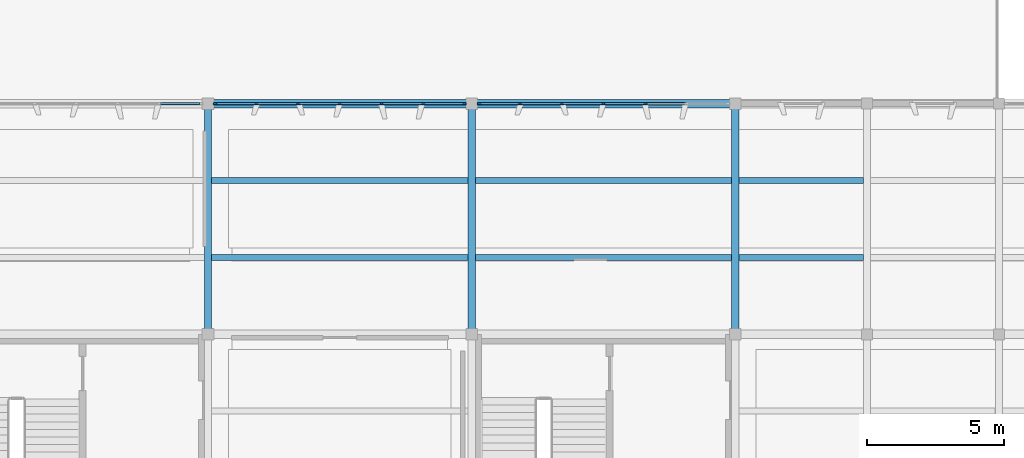
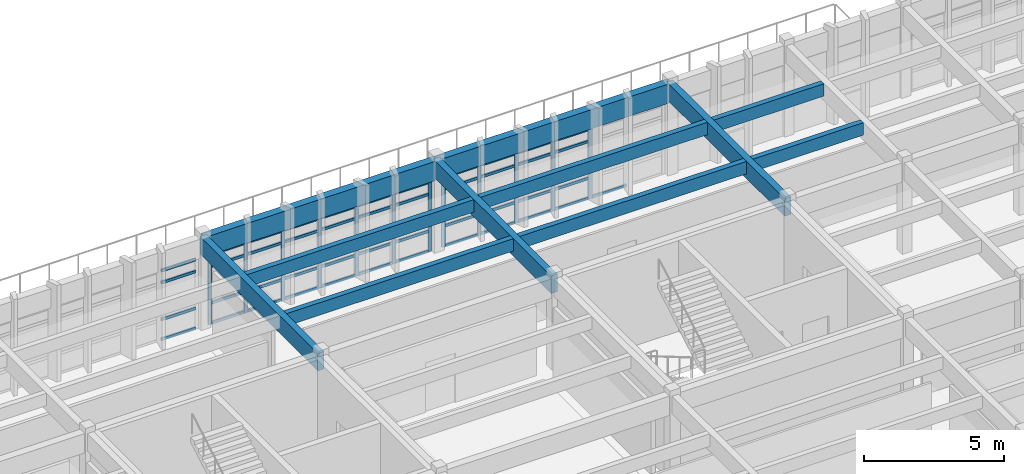
# One storey, part 18 of 61: 57 members, 11 beams, 3 elements without a shape of their own.
"""IFC4 building model written with IfcOpenShell, lengths in metres."""

from ifc_helpers import new_model, si_unit, direction, frame, origin, origin_2d, place, context, subcontext, project, spatial, rectangle, extrude, material, layer, layer_set, material_profile, profile_set, type_object, element, aggregate, save


model = new_model("IFC4")

# Units and contexts
model_context = context("Model", 3, precision=1e-05, world=origin(), true_north=direction((0.0, 1.0)))
body_context = subcontext(model_context, "Body", "Model", "MODEL_VIEW")
ifc_project = project(units=[si_unit("LENGTHUNIT", "METRE"), si_unit("AREAUNIT", "SQUARE_METRE"), si_unit("VOLUMEUNIT", "CUBIC_METRE"), si_unit("PLANEANGLEUNIT", "RADIAN"), si_unit("MASSUNIT", "GRAM", prefix="KILO")], contexts=[model_context])

# Site, building, storey
site_placement = place(None, origin())
site = spatial("IfcSite", under=ifc_project, at=site_placement, CompositionType="ELEMENT")
building_placement = place(site_placement, origin())
building = spatial("IfcBuilding", under=site, at=building_placement, Name="Kolvemor Railside Polytechnic", CompositionType="ELEMENT")
storey_placement = place(building_placement, frame((0.0, 0.0, 10.199951171875)))
storey = spatial("IfcBuildingStorey", under=building, at=storey_placement, Name="L02", CompositionType="ELEMENT", Elevation=10.199951171875)

# Beams
ifc_material_1 = material(Name="Glulam GL28h", Category="wood")
ifc_material_profile_1 = material_profile(ifc_material_1, rectangle(XDim=0.264892578125, YDim=0.760009765625, at=origin_2d()), Name="GL265x760")
ifc_profile_set_1 = profile_set([ifc_material_profile_1], Name="Glulam GL28h")
beam_type_1 = type_object("IfcBeamType", Name="BM-GL-GIRD1", PredefinedType="BEAM", material=ifc_profile_set_1)
for number, where, z_axis, x_axis, name in (
    (1, (96.0, 30.0, 3.570068359375), (0.0, 1.0, 0.0), (-1.0, 0.0, 0.0), "Primary Girder L03-GY 1284"),
    (2, (105.60009765625, 30.0, 3.570068359375), (0.0, 1.0, 0.0), (-1.0, 0.0, 0.0), "Primary Girder L03-GY 1288"),
    (3, (115.199951171875, 30.0, 3.570068359375), (0.0, 1.0, 0.0), (-1.0, 0.0, 0.0), "Primary Girder L03-GY 1292"),
):
    element("IfcBeam", number, at=place(storey_placement, frame(where, z_axis=z_axis, x_axis=x_axis)), inside=storey, type_object=beam_type_1, Name=name, PredefinedType="BEAM", context=body_context, shape_type="SweptSolid", body=[
        extrude(rectangle(XDim=0.264892578125, YDim=0.760009765625, at=origin_2d()), origin(), (0.0, 0.0, 1.0), 8.39990234375),
    ])
ifc_material_2 = material(Name="Glulam GL28h", Category="wood")
ifc_material_profile_2 = material_profile(ifc_material_2, rectangle(XDim=0.31494140625, YDim=0.840087890625, at=origin_2d()), Name="GL315x840")
ifc_profile_set_2 = profile_set([ifc_material_profile_2], Name="Glulam GL28h")
beam_type_2 = type_object("IfcBeamType", Name="BM-GL-GIRD3", PredefinedType="BEAM", material=ifc_profile_set_2)
beam_1_placement = place(storey_placement, frame((96.0, 38.39990234375, 3.530029296875), z_axis=(1.0, 0.0, 0.0), x_axis=(0.0, 1.0, 0.0)))
element("IfcBeam", 4, at=beam_1_placement, inside=storey, type_object=beam_type_2, Name="Primary Girder L03-GX 1257", PredefinedType="BEAM", context=body_context, shape_type="SweptSolid", body=[
    extrude(rectangle(XDim=0.31494140625, YDim=0.840087890625, at=origin_2d()), origin(), (0.0, 0.0, 1.0), 9.60009765625),
])
beam_2_placement = place(storey_placement, frame((105.60009765625, 38.39990234375, 3.530029296875), z_axis=(1.0, 0.0, 0.0), x_axis=(0.0, 1.0, 0.0)))
element("IfcBeam", 5, at=beam_2_placement, inside=storey, type_object=beam_type_2, Name="Primary Girder L03-GX 1258", PredefinedType="BEAM", context=body_context, shape_type="SweptSolid", body=[
    extrude(rectangle(XDim=0.31494140625, YDim=0.840087890625, at=origin_2d()), origin(), (0.0, 0.0, 1.0), 9.599853515625),
])
ifc_material_3 = material(Name="Glulam GL28h", Category="wood")
ifc_material_profile_3 = material_profile(ifc_material_3, rectangle(XDim=0.215087890625, YDim=0.5400390625, at=origin_2d()), Name="GL215x540")
ifc_profile_set_3 = profile_set([ifc_material_profile_3], Name="Glulam GL28h")
beam_type_3 = type_object("IfcBeamType", Name="BM-GL-JST1", PredefinedType="JOIST", material=ifc_profile_set_3)
for number, where, z_axis, x_axis, name in (
    (6, (96.133056640625, 32.800048828125, 3.679931640625), (1.0, 0.0, 0.0), (0.0, 1.0, 0.0), "Floor Joist L03-J1343"),
    (7, (96.133056640625, 35.60009765625, 3.679931640625), (1.0, 0.0, 0.0), (0.0, 1.0, 0.0), "Floor Joist L03-J1344"),
    (8, (105.73291015625, 32.800048828125, 3.679931640625), (1.0, 0.0, 0.0), (0.0, 1.0, 0.0), "Floor Joist L03-J1349"),
    (9, (105.73291015625, 35.60009765625, 3.679931640625), (1.0, 0.0, 0.0), (0.0, 1.0, 0.0), "Floor Joist L03-J1350"),
):
    element("IfcBeam", number, at=place(storey_placement, frame(where, z_axis=z_axis, x_axis=x_axis)), inside=storey, type_object=beam_type_3, Name=name, PredefinedType="JOIST", context=body_context, shape_type="SweptSolid", body=[
        extrude(rectangle(XDim=0.215087890625, YDim=0.5400390625, at=origin_2d()), origin(), (0.0, 0.0, 1.0), 9.333984375),
    ])
for number, where, z_axis, x_axis, name in (
    (10, (115.3330078125, 32.800048828125, 3.679931640625), (1.0, 0.0, 0.0), (0.0, 1.0, 0.0), "Floor Joist L03-J1357"),
    (11, (115.3330078125, 35.60009765625, 3.679931640625), (1.0, 0.0, 0.0), (0.0, 1.0, 0.0), "Floor Joist L03-J1358"),
):
    element("IfcBeam", number, at=place(storey_placement, frame(where, z_axis=z_axis, x_axis=x_axis)), inside=storey, type_object=beam_type_3, Name=name, PredefinedType="JOIST", context=body_context, shape_type="SweptSolid", body=[
        extrude(rectangle(XDim=0.215087890625, YDim=0.5400390625, at=origin_2d()), origin(), (0.0, 0.0, 1.0), 4.533935546875),
    ])

# Curtain wall, members
ifc_material_4 = material(Name="Anodised marine aluminium and laminated low-E glass", Category="aluminium")
ifc_layer = layer(ifc_material_4, 0.179931640625, Name="CW-UNIT-STD")
ifc_layer_set = layer_set([ifc_layer], Name="Anodised marine aluminium and laminated low-E glass")
curtain_wall_type = type_object("IfcCurtainWallType", Name="CW-UNIT-STD", PredefinedType="USERDEFINED", material=ifc_layer_set)
curtain_wall_1_placement = place(storey_placement, origin())
curtain_wall_1 = element("IfcCurtainWall", 12, at=curtain_wall_1_placement, inside=storey, type_object=curtain_wall_type, Name="Curtain Wall L02-123", ObjectType="UNITISED CURTAIN WALL", PredefinedType="USERDEFINED")
ifc_material_5 = material(Name="Anodised marine aluminium 6063-T6", Category="aluminium")
ifc_material_profile_4 = material_profile(ifc_material_5, rectangle(XDim=0.06494140625, YDim=0.14990234375, at=origin_2d()), Name="CW-MUL-65x150")
ifc_profile_set_4 = profile_set([ifc_material_profile_4], Name="Anodised marine aluminium 6063-T6")
member_type_1 = type_object("IfcMemberType", Name="CWM-65x150", PredefinedType="MULLION", material=ifc_profile_set_4)
member_1_placement = place(storey_placement, frame((105.327392578125, 38.39990234375, 0.0), z_axis=(0.0, 0.0, 1.0), x_axis=(0.0, -1.0, 0.0)))
member_1 = element("IfcMember", 13, at=member_1_placement, type_object=member_type_1, Name="CW-STD mullion 1", PredefinedType="MULLION", context=body_context, shape_type="SweptSolid", body=[
    extrude(rectangle(XDim=0.06494140625, YDim=0.14990234375, at=origin_2d()), origin(), (0.0, 0.0, 1.0), 3.050048828125),
])
member_2_placement = place(storey_placement, frame((103.840087890625, 38.39990234375, 0.0), z_axis=(0.0, 0.0, 1.0), x_axis=(0.0, -1.0, 0.0)))
member_2 = element("IfcMember", 14, at=member_2_placement, type_object=member_type_1, Name="CW-STD mullion 2", PredefinedType="MULLION", context=body_context, shape_type="SweptSolid", body=[
    extrude(rectangle(XDim=0.06494140625, YDim=0.14990234375, at=origin_2d()), origin(), (0.0, 0.0, 1.0), 3.050048828125),
])
member_3_placement = place(storey_placement, frame((102.320068359375, 38.39990234375, 0.0), z_axis=(0.0, 0.0, 1.0), x_axis=(0.0, -1.0, 0.0)))
member_3 = element("IfcMember", 15, at=member_3_placement, type_object=member_type_1, Name="CW-STD mullion 3", PredefinedType="MULLION", context=body_context, shape_type="SweptSolid", body=[
    extrude(rectangle(XDim=0.06494140625, YDim=0.14990234375, at=origin_2d()), origin(), (0.0, 0.0, 1.0), 3.050048828125),
])
member_4_placement = place(storey_placement, frame((100.800048828125, 38.39990234375, 0.0), z_axis=(0.0, 0.0, 1.0), x_axis=(0.0, -1.0, 0.0)))
member_4 = element("IfcMember", 16, at=member_4_placement, type_object=member_type_1, Name="CW-STD mullion 4", PredefinedType="MULLION", context=body_context, shape_type="SweptSolid", body=[
    extrude(rectangle(XDim=0.06494140625, YDim=0.14990234375, at=origin_2d()), origin(), (0.0, 0.0, 1.0), 3.050048828125),
])
member_5_placement = place(storey_placement, frame((99.280029296875, 38.39990234375, 0.0), z_axis=(0.0, 0.0, 1.0), x_axis=(0.0, -1.0, 0.0)))
member_5 = element("IfcMember", 17, at=member_5_placement, type_object=member_type_1, Name="CW-STD mullion 5", PredefinedType="MULLION", context=body_context, shape_type="SweptSolid", body=[
    extrude(rectangle(XDim=0.06494140625, YDim=0.14990234375, at=origin_2d()), origin(), (0.0, 0.0, 1.0), 3.050048828125),
])
member_6_placement = place(storey_placement, frame((97.760009765625, 38.39990234375, 0.0), z_axis=(0.0, 0.0, 1.0), x_axis=(0.0, -1.0, 0.0)))
member_6 = element("IfcMember", 18, at=member_6_placement, type_object=member_type_1, Name="CW-STD mullion 6", PredefinedType="MULLION", context=body_context, shape_type="SweptSolid", body=[
    extrude(rectangle(XDim=0.06494140625, YDim=0.14990234375, at=origin_2d()), origin(), (0.0, 0.0, 1.0), 3.050048828125),
])
member_7_placement = place(storey_placement, frame((96.2724609375, 38.39990234375, 0.0), z_axis=(0.0, 0.0, 1.0), x_axis=(0.0, -1.0, 0.0)))
member_7 = element("IfcMember", 19, at=member_7_placement, type_object=member_type_1, Name="CW-STD mullion 7", PredefinedType="MULLION", context=body_context, shape_type="SweptSolid", body=[
    extrude(rectangle(XDim=0.06494140625, YDim=0.14990234375, at=origin_2d()), origin(), (0.0, 0.0, 1.0), 3.050048828125),
])

curtain_wall_2_placement = place(storey_placement, origin())
curtain_wall_2 = element("IfcCurtainWall", 20, at=curtain_wall_2_placement, inside=storey, type_object=curtain_wall_type, Name="Curtain Wall L02-124", ObjectType="UNITISED CURTAIN WALL", PredefinedType="USERDEFINED")
member_8_placement = place(storey_placement, frame((111.919921875, 38.39990234375, 0.0), z_axis=(0.0, 0.0, 1.0), x_axis=(0.0, -1.0, 0.0)))
member_8 = element("IfcMember", 21, at=member_8_placement, type_object=member_type_1, Name="CW-STD mullion 3", PredefinedType="MULLION", context=body_context, shape_type="SweptSolid", body=[
    extrude(rectangle(XDim=0.06494140625, YDim=0.14990234375, at=origin_2d()), origin(), (0.0, 0.0, 1.0), 3.050048828125),
])
member_9_placement = place(storey_placement, frame((110.39990234375, 38.39990234375, 0.0), z_axis=(0.0, 0.0, 1.0), x_axis=(0.0, -1.0, 0.0)))
member_9 = element("IfcMember", 22, at=member_9_placement, type_object=member_type_1, Name="CW-STD mullion 4", PredefinedType="MULLION", context=body_context, shape_type="SweptSolid", body=[
    extrude(rectangle(XDim=0.06494140625, YDim=0.14990234375, at=origin_2d()), origin(), (0.0, 0.0, 1.0), 3.050048828125),
])
member_10_placement = place(storey_placement, frame((108.8798828125, 38.39990234375, 0.0), z_axis=(0.0, 0.0, 1.0), x_axis=(0.0, -1.0, 0.0)))
member_10 = element("IfcMember", 23, at=member_10_placement, type_object=member_type_1, Name="CW-STD mullion 5", PredefinedType="MULLION", context=body_context, shape_type="SweptSolid", body=[
    extrude(rectangle(XDim=0.06494140625, YDim=0.14990234375, at=origin_2d()), origin(), (0.0, 0.0, 1.0), 3.050048828125),
])
member_11_placement = place(storey_placement, frame((107.360107421875, 38.39990234375, 0.0), z_axis=(0.0, 0.0, 1.0), x_axis=(0.0, -1.0, 0.0)))
member_11 = element("IfcMember", 24, at=member_11_placement, type_object=member_type_1, Name="CW-STD mullion 6", PredefinedType="MULLION", context=body_context, shape_type="SweptSolid", body=[
    extrude(rectangle(XDim=0.06494140625, YDim=0.14990234375, at=origin_2d()), origin(), (0.0, 0.0, 1.0), 3.050048828125),
])
member_12_placement = place(storey_placement, frame((105.87255859375, 38.39990234375, 0.0), z_axis=(0.0, 0.0, 1.0), x_axis=(0.0, -1.0, 0.0)))
member_12 = element("IfcMember", 25, at=member_12_placement, type_object=member_type_1, Name="CW-STD mullion 7", PredefinedType="MULLION", context=body_context, shape_type="SweptSolid", body=[
    extrude(rectangle(XDim=0.06494140625, YDim=0.14990234375, at=origin_2d()), origin(), (0.0, 0.0, 1.0), 3.050048828125),
])

curtain_wall_3_placement = place(storey_placement, origin())
curtain_wall_3 = element("IfcCurtainWall", 26, at=curtain_wall_3_placement, inside=storey, type_object=curtain_wall_type, Name="Curtain Wall L02-122", ObjectType="UNITISED CURTAIN WALL", PredefinedType="USERDEFINED")
ifc_material_6 = material(Name="Anodised marine aluminium 6063-T6", Category="aluminium")
ifc_material_profile_5 = material_profile(ifc_material_6, rectangle(XDim=0.06494140625, YDim=0.1201171875, at=origin_2d()), Name="CW-TRN-65x120")
ifc_profile_set_5 = profile_set([ifc_material_profile_5], Name="Anodised marine aluminium 6063-T6")
member_type_2 = type_object("IfcMemberType", Name="CWT-65x120", PredefinedType="USERDEFINED", material=ifc_profile_set_5)
member_13_placement = place(storey_placement, frame((95.695068359375, 38.39990234375, 0.032470703125), z_axis=(-1.0, 0.0, 0.0), x_axis=(0.0, -1.0, 0.0)))
member_13 = element("IfcMember", 27, at=member_13_placement, type_object=member_type_2, Name="CW-STD transom 1.1", ObjectType="TRANSOM", PredefinedType="USERDEFINED", context=body_context, shape_type="SweptSolid", body=[
    extrude(rectangle(XDim=0.06494140625, YDim=0.1201171875, at=origin_2d()), origin(), (0.0, 0.0, 1.0), 1.422607421875),
])
member_14_placement = place(storey_placement, frame((95.695068359375, 38.39990234375, 0.900146484375), z_axis=(-1.0, 0.0, 0.0), x_axis=(0.0, -1.0, 0.0)))
member_14 = element("IfcMember", 28, at=member_14_placement, type_object=member_type_2, Name="CW-STD transom 1.2", ObjectType="TRANSOM", PredefinedType="USERDEFINED", context=body_context, shape_type="SweptSolid", body=[
    extrude(rectangle(XDim=0.06494140625, YDim=0.1201171875, at=origin_2d()), origin(), (0.0, 0.0, 1.0), 1.422607421875),
])
member_15_placement = place(storey_placement, frame((95.695068359375, 38.39990234375, 2.5), z_axis=(-1.0, 0.0, 0.0), x_axis=(0.0, -1.0, 0.0)))
member_15 = element("IfcMember", 29, at=member_15_placement, type_object=member_type_2, Name="CW-STD transom 1.3", ObjectType="TRANSOM", PredefinedType="USERDEFINED", context=body_context, shape_type="SweptSolid", body=[
    extrude(rectangle(XDim=0.06494140625, YDim=0.1201171875, at=origin_2d()), origin(), (0.0, 0.0, 1.0), 1.422607421875),
])
member_16_placement = place(storey_placement, frame((95.695068359375, 38.39990234375, 3.017578125), z_axis=(-1.0, 0.0, 0.0), x_axis=(0.0, -1.0, 0.0)))
member_16 = element("IfcMember", 30, at=member_16_placement, type_object=member_type_2, Name="CW-STD transom 1.4", ObjectType="TRANSOM", PredefinedType="USERDEFINED", context=body_context, shape_type="SweptSolid", body=[
    extrude(rectangle(XDim=0.06494140625, YDim=0.1201171875, at=origin_2d()), origin(), (0.0, 0.0, 1.0), 1.422607421875),
])
aggregate(curtain_wall_3, [member_13, member_14, member_15, member_16])

# Member
member_17_placement = place(storey_placement, frame((105.294921875, 38.39990234375, 0.032470703125), z_axis=(-1.0, 0.0, 0.0), x_axis=(0.0, -1.0, 0.0)))
member_17 = element("IfcMember", 31, at=member_17_placement, type_object=member_type_2, Name="CW-STD transom 1.1", ObjectType="TRANSOM", PredefinedType="USERDEFINED", context=body_context, shape_type="SweptSolid", body=[
    extrude(rectangle(XDim=0.06494140625, YDim=0.1201171875, at=origin_2d()), origin(), (0.0, 0.0, 1.0), 1.42236328125),
])

member_18_placement = place(storey_placement, frame((105.294921875, 38.39990234375, 0.900146484375), z_axis=(-1.0, 0.0, 0.0), x_axis=(0.0, -1.0, 0.0)))
member_18 = element("IfcMember", 32, at=member_18_placement, type_object=member_type_2, Name="CW-STD transom 1.2", ObjectType="TRANSOM", PredefinedType="USERDEFINED", context=body_context, shape_type="SweptSolid", body=[
    extrude(rectangle(XDim=0.06494140625, YDim=0.1201171875, at=origin_2d()), origin(), (0.0, 0.0, 1.0), 1.42236328125),
])

member_19_placement = place(storey_placement, frame((105.294921875, 38.39990234375, 2.5), z_axis=(-1.0, 0.0, 0.0), x_axis=(0.0, -1.0, 0.0)))
member_19 = element("IfcMember", 33, at=member_19_placement, type_object=member_type_2, Name="CW-STD transom 1.3", ObjectType="TRANSOM", PredefinedType="USERDEFINED", context=body_context, shape_type="SweptSolid", body=[
    extrude(rectangle(XDim=0.06494140625, YDim=0.1201171875, at=origin_2d()), origin(), (0.0, 0.0, 1.0), 1.42236328125),
])

member_20_placement = place(storey_placement, frame((105.294921875, 38.39990234375, 3.017578125), z_axis=(-1.0, 0.0, 0.0), x_axis=(0.0, -1.0, 0.0)))
member_20 = element("IfcMember", 34, at=member_20_placement, type_object=member_type_2, Name="CW-STD transom 1.4", ObjectType="TRANSOM", PredefinedType="USERDEFINED", context=body_context, shape_type="SweptSolid", body=[
    extrude(rectangle(XDim=0.06494140625, YDim=0.1201171875, at=origin_2d()), origin(), (0.0, 0.0, 1.0), 1.42236328125),
])

member_21_placement = place(storey_placement, frame((103.8076171875, 38.39990234375, 0.032470703125), z_axis=(-1.0, 0.0, 0.0), x_axis=(0.0, -1.0, 0.0)))
member_21 = element("IfcMember", 35, at=member_21_placement, type_object=member_type_2, Name="CW-STD transom 2.1", ObjectType="TRANSOM", PredefinedType="USERDEFINED", context=body_context, shape_type="SweptSolid", body=[
    extrude(rectangle(XDim=0.06494140625, YDim=0.1201171875, at=origin_2d()), origin(), (0.0, 0.0, 1.0), 1.455078125),
])

member_22_placement = place(storey_placement, frame((103.8076171875, 38.39990234375, 0.900146484375), z_axis=(-1.0, 0.0, 0.0), x_axis=(0.0, -1.0, 0.0)))
member_22 = element("IfcMember", 36, at=member_22_placement, type_object=member_type_2, Name="CW-STD transom 2.2", ObjectType="TRANSOM", PredefinedType="USERDEFINED", context=body_context, shape_type="SweptSolid", body=[
    extrude(rectangle(XDim=0.06494140625, YDim=0.1201171875, at=origin_2d()), origin(), (0.0, 0.0, 1.0), 1.455078125),
])

member_23_placement = place(storey_placement, frame((103.8076171875, 38.39990234375, 2.5), z_axis=(-1.0, 0.0, 0.0), x_axis=(0.0, -1.0, 0.0)))
member_23 = element("IfcMember", 37, at=member_23_placement, type_object=member_type_2, Name="CW-STD transom 2.3", ObjectType="TRANSOM", PredefinedType="USERDEFINED", context=body_context, shape_type="SweptSolid", body=[
    extrude(rectangle(XDim=0.06494140625, YDim=0.1201171875, at=origin_2d()), origin(), (0.0, 0.0, 1.0), 1.455078125),
])

member_24_placement = place(storey_placement, frame((103.8076171875, 38.39990234375, 3.017578125), z_axis=(-1.0, 0.0, 0.0), x_axis=(0.0, -1.0, 0.0)))
member_24 = element("IfcMember", 38, at=member_24_placement, type_object=member_type_2, Name="CW-STD transom 2.4", ObjectType="TRANSOM", PredefinedType="USERDEFINED", context=body_context, shape_type="SweptSolid", body=[
    extrude(rectangle(XDim=0.06494140625, YDim=0.1201171875, at=origin_2d()), origin(), (0.0, 0.0, 1.0), 1.455078125),
])

member_25_placement = place(storey_placement, frame((102.28759765625, 38.39990234375, 0.032470703125), z_axis=(-1.0, 0.0, 0.0), x_axis=(0.0, -1.0, 0.0)))
member_25 = element("IfcMember", 39, at=member_25_placement, type_object=member_type_2, Name="CW-STD transom 3.1", ObjectType="TRANSOM", PredefinedType="USERDEFINED", context=body_context, shape_type="SweptSolid", body=[
    extrude(rectangle(XDim=0.06494140625, YDim=0.1201171875, at=origin_2d()), origin(), (0.0, 0.0, 1.0), 1.455078125),
])

member_26_placement = place(storey_placement, frame((102.28759765625, 38.39990234375, 0.900146484375), z_axis=(-1.0, 0.0, 0.0), x_axis=(0.0, -1.0, 0.0)))
member_26 = element("IfcMember", 40, at=member_26_placement, type_object=member_type_2, Name="CW-STD transom 3.2", ObjectType="TRANSOM", PredefinedType="USERDEFINED", context=body_context, shape_type="SweptSolid", body=[
    extrude(rectangle(XDim=0.06494140625, YDim=0.1201171875, at=origin_2d()), origin(), (0.0, 0.0, 1.0), 1.455078125),
])

member_27_placement = place(storey_placement, frame((102.28759765625, 38.39990234375, 2.5), z_axis=(-1.0, 0.0, 0.0), x_axis=(0.0, -1.0, 0.0)))
member_27 = element("IfcMember", 41, at=member_27_placement, type_object=member_type_2, Name="CW-STD transom 3.3", ObjectType="TRANSOM", PredefinedType="USERDEFINED", context=body_context, shape_type="SweptSolid", body=[
    extrude(rectangle(XDim=0.06494140625, YDim=0.1201171875, at=origin_2d()), origin(), (0.0, 0.0, 1.0), 1.455078125),
])

member_28_placement = place(storey_placement, frame((102.28759765625, 38.39990234375, 3.017578125), z_axis=(-1.0, 0.0, 0.0), x_axis=(0.0, -1.0, 0.0)))
member_28 = element("IfcMember", 42, at=member_28_placement, type_object=member_type_2, Name="CW-STD transom 3.4", ObjectType="TRANSOM", PredefinedType="USERDEFINED", context=body_context, shape_type="SweptSolid", body=[
    extrude(rectangle(XDim=0.06494140625, YDim=0.1201171875, at=origin_2d()), origin(), (0.0, 0.0, 1.0), 1.455078125),
])

member_29_placement = place(storey_placement, frame((100.767578125, 38.39990234375, 0.032470703125), z_axis=(-1.0, 0.0, 0.0), x_axis=(0.0, -1.0, 0.0)))
member_29 = element("IfcMember", 43, at=member_29_placement, type_object=member_type_2, Name="CW-STD transom 4.1", ObjectType="TRANSOM", PredefinedType="USERDEFINED", context=body_context, shape_type="SweptSolid", body=[
    extrude(rectangle(XDim=0.06494140625, YDim=0.1201171875, at=origin_2d()), origin(), (0.0, 0.0, 1.0), 1.455078125),
])

member_30_placement = place(storey_placement, frame((100.767578125, 38.39990234375, 0.900146484375), z_axis=(-1.0, 0.0, 0.0), x_axis=(0.0, -1.0, 0.0)))
member_30 = element("IfcMember", 44, at=member_30_placement, type_object=member_type_2, Name="CW-STD transom 4.2", ObjectType="TRANSOM", PredefinedType="USERDEFINED", context=body_context, shape_type="SweptSolid", body=[
    extrude(rectangle(XDim=0.06494140625, YDim=0.1201171875, at=origin_2d()), origin(), (0.0, 0.0, 1.0), 1.455078125),
])

member_31_placement = place(storey_placement, frame((100.767578125, 38.39990234375, 2.5), z_axis=(-1.0, 0.0, 0.0), x_axis=(0.0, -1.0, 0.0)))
member_31 = element("IfcMember", 45, at=member_31_placement, type_object=member_type_2, Name="CW-STD transom 4.3", ObjectType="TRANSOM", PredefinedType="USERDEFINED", context=body_context, shape_type="SweptSolid", body=[
    extrude(rectangle(XDim=0.06494140625, YDim=0.1201171875, at=origin_2d()), origin(), (0.0, 0.0, 1.0), 1.455078125),
])

member_32_placement = place(storey_placement, frame((100.767578125, 38.39990234375, 3.017578125), z_axis=(-1.0, 0.0, 0.0), x_axis=(0.0, -1.0, 0.0)))
member_32 = element("IfcMember", 46, at=member_32_placement, type_object=member_type_2, Name="CW-STD transom 4.4", ObjectType="TRANSOM", PredefinedType="USERDEFINED", context=body_context, shape_type="SweptSolid", body=[
    extrude(rectangle(XDim=0.06494140625, YDim=0.1201171875, at=origin_2d()), origin(), (0.0, 0.0, 1.0), 1.455078125),
])

member_33_placement = place(storey_placement, frame((99.24755859375, 38.39990234375, 0.032470703125), z_axis=(-1.0, 0.0, 0.0), x_axis=(0.0, -1.0, 0.0)))
member_33 = element("IfcMember", 47, at=member_33_placement, type_object=member_type_2, Name="CW-STD transom 5.1", ObjectType="TRANSOM", PredefinedType="USERDEFINED", context=body_context, shape_type="SweptSolid", body=[
    extrude(rectangle(XDim=0.06494140625, YDim=0.1201171875, at=origin_2d()), origin(), (0.0, 0.0, 1.0), 1.455078125),
])

member_34_placement = place(storey_placement, frame((99.24755859375, 38.39990234375, 0.900146484375), z_axis=(-1.0, 0.0, 0.0), x_axis=(0.0, -1.0, 0.0)))
member_34 = element("IfcMember", 48, at=member_34_placement, type_object=member_type_2, Name="CW-STD transom 5.2", ObjectType="TRANSOM", PredefinedType="USERDEFINED", context=body_context, shape_type="SweptSolid", body=[
    extrude(rectangle(XDim=0.06494140625, YDim=0.1201171875, at=origin_2d()), origin(), (0.0, 0.0, 1.0), 1.455078125),
])

member_35_placement = place(storey_placement, frame((99.24755859375, 38.39990234375, 2.5), z_axis=(-1.0, 0.0, 0.0), x_axis=(0.0, -1.0, 0.0)))
member_35 = element("IfcMember", 49, at=member_35_placement, type_object=member_type_2, Name="CW-STD transom 5.3", ObjectType="TRANSOM", PredefinedType="USERDEFINED", context=body_context, shape_type="SweptSolid", body=[
    extrude(rectangle(XDim=0.06494140625, YDim=0.1201171875, at=origin_2d()), origin(), (0.0, 0.0, 1.0), 1.455078125),
])

member_36_placement = place(storey_placement, frame((99.24755859375, 38.39990234375, 3.017578125), z_axis=(-1.0, 0.0, 0.0), x_axis=(0.0, -1.0, 0.0)))
member_36 = element("IfcMember", 50, at=member_36_placement, type_object=member_type_2, Name="CW-STD transom 5.4", ObjectType="TRANSOM", PredefinedType="USERDEFINED", context=body_context, shape_type="SweptSolid", body=[
    extrude(rectangle(XDim=0.06494140625, YDim=0.1201171875, at=origin_2d()), origin(), (0.0, 0.0, 1.0), 1.455078125),
])

member_37_placement = place(storey_placement, frame((97.7275390625, 38.39990234375, 0.032470703125), z_axis=(-1.0, 0.0, 0.0), x_axis=(0.0, -1.0, 0.0)))
member_37 = element("IfcMember", 51, at=member_37_placement, type_object=member_type_2, Name="CW-STD transom 6.1", ObjectType="TRANSOM", PredefinedType="USERDEFINED", context=body_context, shape_type="SweptSolid", body=[
    extrude(rectangle(XDim=0.06494140625, YDim=0.1201171875, at=origin_2d()), origin(), (0.0, 0.0, 1.0), 1.422607421875),
])

member_38_placement = place(storey_placement, frame((97.7275390625, 38.39990234375, 0.900146484375), z_axis=(-1.0, 0.0, 0.0), x_axis=(0.0, -1.0, 0.0)))
member_38 = element("IfcMember", 52, at=member_38_placement, type_object=member_type_2, Name="CW-STD transom 6.2", ObjectType="TRANSOM", PredefinedType="USERDEFINED", context=body_context, shape_type="SweptSolid", body=[
    extrude(rectangle(XDim=0.06494140625, YDim=0.1201171875, at=origin_2d()), origin(), (0.0, 0.0, 1.0), 1.422607421875),
])

member_39_placement = place(storey_placement, frame((97.7275390625, 38.39990234375, 2.5), z_axis=(-1.0, 0.0, 0.0), x_axis=(0.0, -1.0, 0.0)))
member_39 = element("IfcMember", 53, at=member_39_placement, type_object=member_type_2, Name="CW-STD transom 6.3", ObjectType="TRANSOM", PredefinedType="USERDEFINED", context=body_context, shape_type="SweptSolid", body=[
    extrude(rectangle(XDim=0.06494140625, YDim=0.1201171875, at=origin_2d()), origin(), (0.0, 0.0, 1.0), 1.422607421875),
])

member_40_placement = place(storey_placement, frame((97.7275390625, 38.39990234375, 3.017578125), z_axis=(-1.0, 0.0, 0.0), x_axis=(0.0, -1.0, 0.0)))
member_40 = element("IfcMember", 54, at=member_40_placement, type_object=member_type_2, Name="CW-STD transom 6.4", ObjectType="TRANSOM", PredefinedType="USERDEFINED", context=body_context, shape_type="SweptSolid", body=[
    extrude(rectangle(XDim=0.06494140625, YDim=0.1201171875, at=origin_2d()), origin(), (0.0, 0.0, 1.0), 1.422607421875),
])

aggregate(curtain_wall_1, [member_1, member_2, member_3, member_4, member_5, member_6, member_7, member_17, member_18, member_19, member_20, member_21, member_22, member_23, member_24, member_25, member_26, member_27, member_28, member_29, member_30, member_31, member_32, member_33, member_34, member_35, member_36, member_37, member_38, member_39, member_40])

member_41_placement = place(storey_placement, frame((113.407470703125, 38.39990234375, 0.032470703125), z_axis=(-1.0, 0.0, 0.0), x_axis=(0.0, -1.0, 0.0)))
member_41 = element("IfcMember", 55, at=member_41_placement, type_object=member_type_2, Name="CW-STD transom 2.1", ObjectType="TRANSOM", PredefinedType="USERDEFINED", context=body_context, shape_type="SweptSolid", body=[
    extrude(rectangle(XDim=0.06494140625, YDim=0.1201171875, at=origin_2d()), origin(), (0.0, 0.0, 1.0), 1.455078125),
])

member_42_placement = place(storey_placement, frame((111.887451171875, 38.39990234375, 0.032470703125), z_axis=(-1.0, 0.0, 0.0), x_axis=(0.0, -1.0, 0.0)))
member_42 = element("IfcMember", 56, at=member_42_placement, type_object=member_type_2, Name="CW-STD transom 3.1", ObjectType="TRANSOM", PredefinedType="USERDEFINED", context=body_context, shape_type="SweptSolid", body=[
    extrude(rectangle(XDim=0.06494140625, YDim=0.1201171875, at=origin_2d()), origin(), (0.0, 0.0, 1.0), 1.454833984375),
])

member_43_placement = place(storey_placement, frame((111.887451171875, 38.39990234375, 0.900146484375), z_axis=(-1.0, 0.0, 0.0), x_axis=(0.0, -1.0, 0.0)))
member_43 = element("IfcMember", 57, at=member_43_placement, type_object=member_type_2, Name="CW-STD transom 3.2", ObjectType="TRANSOM", PredefinedType="USERDEFINED", context=body_context, shape_type="SweptSolid", body=[
    extrude(rectangle(XDim=0.06494140625, YDim=0.1201171875, at=origin_2d()), origin(), (0.0, 0.0, 1.0), 1.454833984375),
])

member_44_placement = place(storey_placement, frame((111.887451171875, 38.39990234375, 2.5), z_axis=(-1.0, 0.0, 0.0), x_axis=(0.0, -1.0, 0.0)))
member_44 = element("IfcMember", 58, at=member_44_placement, type_object=member_type_2, Name="CW-STD transom 3.3", ObjectType="TRANSOM", PredefinedType="USERDEFINED", context=body_context, shape_type="SweptSolid", body=[
    extrude(rectangle(XDim=0.06494140625, YDim=0.1201171875, at=origin_2d()), origin(), (0.0, 0.0, 1.0), 1.454833984375),
])

member_45_placement = place(storey_placement, frame((111.887451171875, 38.39990234375, 3.017578125), z_axis=(-1.0, 0.0, 0.0), x_axis=(0.0, -1.0, 0.0)))
member_45 = element("IfcMember", 59, at=member_45_placement, type_object=member_type_2, Name="CW-STD transom 3.4", ObjectType="TRANSOM", PredefinedType="USERDEFINED", context=body_context, shape_type="SweptSolid", body=[
    extrude(rectangle(XDim=0.06494140625, YDim=0.1201171875, at=origin_2d()), origin(), (0.0, 0.0, 1.0), 1.454833984375),
])

member_46_placement = place(storey_placement, frame((110.367431640625, 38.39990234375, 0.032470703125), z_axis=(-1.0, 0.0, 0.0), x_axis=(0.0, -1.0, 0.0)))
member_46 = element("IfcMember", 60, at=member_46_placement, type_object=member_type_2, Name="CW-STD transom 4.1", ObjectType="TRANSOM", PredefinedType="USERDEFINED", context=body_context, shape_type="SweptSolid", body=[
    extrude(rectangle(XDim=0.06494140625, YDim=0.1201171875, at=origin_2d()), origin(), (0.0, 0.0, 1.0), 1.454833984375),
])

member_47_placement = place(storey_placement, frame((110.367431640625, 38.39990234375, 0.900146484375), z_axis=(-1.0, 0.0, 0.0), x_axis=(0.0, -1.0, 0.0)))
member_47 = element("IfcMember", 61, at=member_47_placement, type_object=member_type_2, Name="CW-STD transom 4.2", ObjectType="TRANSOM", PredefinedType="USERDEFINED", context=body_context, shape_type="SweptSolid", body=[
    extrude(rectangle(XDim=0.06494140625, YDim=0.1201171875, at=origin_2d()), origin(), (0.0, 0.0, 1.0), 1.454833984375),
])

member_48_placement = place(storey_placement, frame((110.367431640625, 38.39990234375, 2.5), z_axis=(-1.0, 0.0, 0.0), x_axis=(0.0, -1.0, 0.0)))
member_48 = element("IfcMember", 62, at=member_48_placement, type_object=member_type_2, Name="CW-STD transom 4.3", ObjectType="TRANSOM", PredefinedType="USERDEFINED", context=body_context, shape_type="SweptSolid", body=[
    extrude(rectangle(XDim=0.06494140625, YDim=0.1201171875, at=origin_2d()), origin(), (0.0, 0.0, 1.0), 1.454833984375),
])

member_49_placement = place(storey_placement, frame((110.367431640625, 38.39990234375, 3.017578125), z_axis=(-1.0, 0.0, 0.0), x_axis=(0.0, -1.0, 0.0)))
member_49 = element("IfcMember", 63, at=member_49_placement, type_object=member_type_2, Name="CW-STD transom 4.4", ObjectType="TRANSOM", PredefinedType="USERDEFINED", context=body_context, shape_type="SweptSolid", body=[
    extrude(rectangle(XDim=0.06494140625, YDim=0.1201171875, at=origin_2d()), origin(), (0.0, 0.0, 1.0), 1.454833984375),
])

member_50_placement = place(storey_placement, frame((108.847412109375, 38.39990234375, 0.032470703125), z_axis=(-1.0, 0.0, 0.0), x_axis=(0.0, -1.0, 0.0)))
member_50 = element("IfcMember", 64, at=member_50_placement, type_object=member_type_2, Name="CW-STD transom 5.1", ObjectType="TRANSOM", PredefinedType="USERDEFINED", context=body_context, shape_type="SweptSolid", body=[
    extrude(rectangle(XDim=0.06494140625, YDim=0.1201171875, at=origin_2d()), origin(), (0.0, 0.0, 1.0), 1.454833984375),
])

member_51_placement = place(storey_placement, frame((108.847412109375, 38.39990234375, 0.900146484375), z_axis=(-1.0, 0.0, 0.0), x_axis=(0.0, -1.0, 0.0)))
member_51 = element("IfcMember", 65, at=member_51_placement, type_object=member_type_2, Name="CW-STD transom 5.2", ObjectType="TRANSOM", PredefinedType="USERDEFINED", context=body_context, shape_type="SweptSolid", body=[
    extrude(rectangle(XDim=0.06494140625, YDim=0.1201171875, at=origin_2d()), origin(), (0.0, 0.0, 1.0), 1.454833984375),
])

member_52_placement = place(storey_placement, frame((108.847412109375, 38.39990234375, 2.5), z_axis=(-1.0, 0.0, 0.0), x_axis=(0.0, -1.0, 0.0)))
member_52 = element("IfcMember", 66, at=member_52_placement, type_object=member_type_2, Name="CW-STD transom 5.3", ObjectType="TRANSOM", PredefinedType="USERDEFINED", context=body_context, shape_type="SweptSolid", body=[
    extrude(rectangle(XDim=0.06494140625, YDim=0.1201171875, at=origin_2d()), origin(), (0.0, 0.0, 1.0), 1.454833984375),
])

member_53_placement = place(storey_placement, frame((108.847412109375, 38.39990234375, 3.017578125), z_axis=(-1.0, 0.0, 0.0), x_axis=(0.0, -1.0, 0.0)))
member_53 = element("IfcMember", 67, at=member_53_placement, type_object=member_type_2, Name="CW-STD transom 5.4", ObjectType="TRANSOM", PredefinedType="USERDEFINED", context=body_context, shape_type="SweptSolid", body=[
    extrude(rectangle(XDim=0.06494140625, YDim=0.1201171875, at=origin_2d()), origin(), (0.0, 0.0, 1.0), 1.454833984375),
])

member_54_placement = place(storey_placement, frame((107.327392578125, 38.39990234375, 0.032470703125), z_axis=(-1.0, 0.0, 0.0), x_axis=(0.0, -1.0, 0.0)))
member_54 = element("IfcMember", 68, at=member_54_placement, type_object=member_type_2, Name="CW-STD transom 6.1", ObjectType="TRANSOM", PredefinedType="USERDEFINED", context=body_context, shape_type="SweptSolid", body=[
    extrude(rectangle(XDim=0.06494140625, YDim=0.1201171875, at=origin_2d()), origin(), (0.0, 0.0, 1.0), 1.42236328125),
])

member_55_placement = place(storey_placement, frame((107.327392578125, 38.39990234375, 0.900146484375), z_axis=(-1.0, 0.0, 0.0), x_axis=(0.0, -1.0, 0.0)))
member_55 = element("IfcMember", 69, at=member_55_placement, type_object=member_type_2, Name="CW-STD transom 6.2", ObjectType="TRANSOM", PredefinedType="USERDEFINED", context=body_context, shape_type="SweptSolid", body=[
    extrude(rectangle(XDim=0.06494140625, YDim=0.1201171875, at=origin_2d()), origin(), (0.0, 0.0, 1.0), 1.42236328125),
])

member_56_placement = place(storey_placement, frame((107.327392578125, 38.39990234375, 2.5), z_axis=(-1.0, 0.0, 0.0), x_axis=(0.0, -1.0, 0.0)))
member_56 = element("IfcMember", 70, at=member_56_placement, type_object=member_type_2, Name="CW-STD transom 6.3", ObjectType="TRANSOM", PredefinedType="USERDEFINED", context=body_context, shape_type="SweptSolid", body=[
    extrude(rectangle(XDim=0.06494140625, YDim=0.1201171875, at=origin_2d()), origin(), (0.0, 0.0, 1.0), 1.42236328125),
])

member_57_placement = place(storey_placement, frame((107.327392578125, 38.39990234375, 3.017578125), z_axis=(-1.0, 0.0, 0.0), x_axis=(0.0, -1.0, 0.0)))
member_57 = element("IfcMember", 71, at=member_57_placement, type_object=member_type_2, Name="CW-STD transom 6.4", ObjectType="TRANSOM", PredefinedType="USERDEFINED", context=body_context, shape_type="SweptSolid", body=[
    extrude(rectangle(XDim=0.06494140625, YDim=0.1201171875, at=origin_2d()), origin(), (0.0, 0.0, 1.0), 1.42236328125),
])

aggregate(curtain_wall_2, [member_8, member_9, member_10, member_11, member_12, member_41, member_42, member_43, member_44, member_45, member_46, member_47, member_48, member_49, member_50, member_51, member_52, member_53, member_54, member_55, member_56, member_57])

save(model, "model.ifc")
